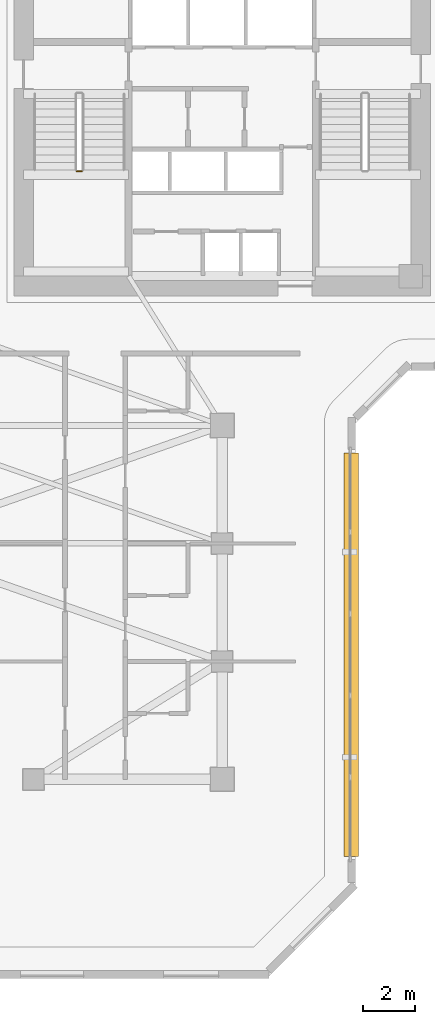
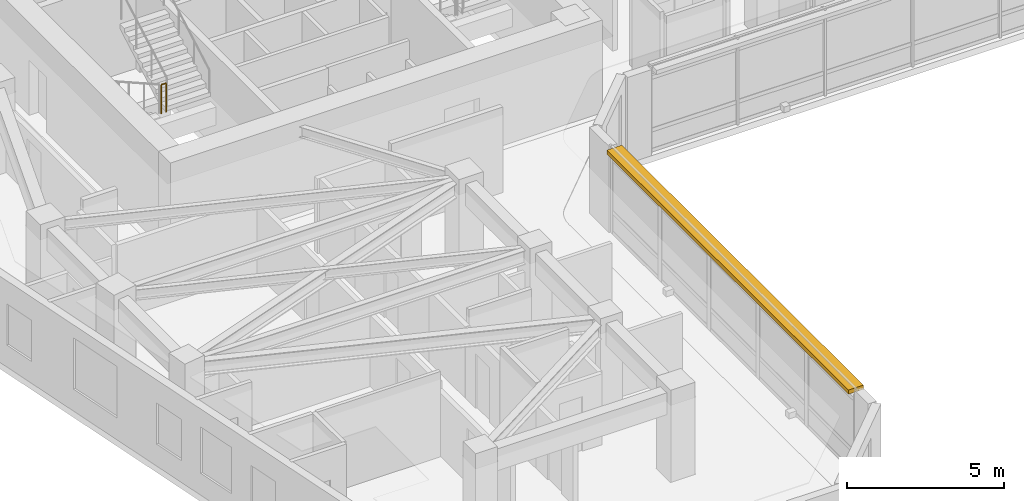
# One storey, part 10 of 14: 1 railing, 1 shading device.
"""IFC4 building model written with IfcOpenShell, lengths in metres."""

import ifcopenshell
import ifcopenshell.guid

model = None  # the IFC model being written
_history = None  # IfcOwnerHistory: only IFC2X3 demands one
_inside = {}  # id of a spatial element -> (the spatial element, [elements in it])
_under = {}  # id of a project, library or spatial element -> (it, [spatial elements below it])
_declared = {}  # id of a project -> (the project, [libraries it declares])
_typed = {}  # id of a type object -> (the type object, [elements of that type])
_made_of = {}  # id of a material, layer set ... -> (it, [elements and type objects made of it])


def new_model(schema):
    """Start an empty IFC model of exactly this schema.

    Asked for "IFC4X3", IfcOpenShell would pick the latest addendum, in which some entities
    have other attributes; the version numbers below select the first issue.
    IFC2X3 requires an IfcOwnerHistory on every rooted entity: one is made here for all.
    """
    global model, _history
    if schema == "IFC4X3":
        model = ifcopenshell.file(schema_version=(4, 3, 0, 0))
    else:
        model = ifcopenshell.file(schema=schema)
    _inside.clear()
    _under.clear()
    _declared.clear()
    _typed.clear()
    _made_of.clear()
    _history = None
    if model.schema == "IFC2X3":
        org = make("IfcOrganization", Name="unknown")
        user = make(
            "IfcPersonAndOrganization",
            ThePerson=make("IfcPerson", FamilyName="unknown"),
            TheOrganization=org,
        )
        app = make(
            "IfcApplication",
            ApplicationDeveloper=org,
            Version="unknown",
            ApplicationFullName="unknown",
            ApplicationIdentifier="unknown",
        )
        _history = make(
            "IfcOwnerHistory",
            OwningUser=user,
            OwningApplication=app,
            ChangeAction="ADDED",
            CreationDate=0,
        )
    return model


def make(cls, **values):
    """One entity of the class cls with the attributes given. An attribute that is None is left unset."""
    return model.create_entity(
        cls, **{name: value for name, value in values.items() if value is not None}
    )


def rooted(cls, **values):
    """An entity with a GlobalId (a new one), such as an element, a storey or a relation."""
    return make(cls, GlobalId=ifcopenshell.guid.new(), OwnerHistory=_history, **values)


def si_unit(unit_type, name, prefix=None):
    """IfcSIUnit, for example si_unit("LENGTHUNIT", "METRE", prefix="MILLI")."""
    return make("IfcSIUnit", UnitType=unit_type, Prefix=prefix, Name=name)


def assignment(units):
    """IfcUnitAssignment: the units of a project."""
    return None if units is None else make("IfcUnitAssignment", Units=units)


def point(xyz):
    """IfcCartesianPoint."""
    return None if xyz is None else make("IfcCartesianPoint", Coordinates=xyz)


def direction(xyz):
    """IfcDirection."""
    return None if xyz is None else make("IfcDirection", DirectionRatios=xyz)


def frame(location, z_axis=None, x_axis=None):
    """IfcAxis2Placement3D, a coordinate frame: its origin and axes. An axis left out is left unset."""
    return make(
        "IfcAxis2Placement3D",
        Location=point(location),
        Axis=direction(z_axis),
        RefDirection=direction(x_axis),
    )


def frame_2d(location, x_axis=None):
    """IfcAxis2Placement2D, a coordinate frame in the plane: its origin and x axis."""
    return make(
        "IfcAxis2Placement2D", Location=point(location), RefDirection=direction(x_axis)
    )


def origin():
    """The frame at (0, 0, 0) with its axes left unset."""
    return frame((0.0, 0.0, 0.0))


def origin_2d():
    """The frame at (0, 0) in the plane with its x axis left unset."""
    return frame_2d((0.0, 0.0))


def place(relative_to, where):
    """IfcLocalPlacement: puts the frame where relative to a parent placement (None: the world)."""
    return make(
        "IfcLocalPlacement", PlacementRelTo=relative_to, RelativePlacement=where
    )


def context(
    kind, dimensions, precision=None, world=None, true_north=None, identifier=None
):
    """IfcGeometricRepresentationContext, for example the 3D "Model" context."""
    return make(
        "IfcGeometricRepresentationContext",
        ContextIdentifier=identifier,
        ContextType=kind,
        CoordinateSpaceDimension=dimensions,
        Precision=precision,
        WorldCoordinateSystem=world,
        TrueNorth=true_north,
    )


def subcontext(parent, identifier, kind, view, scale=None):
    """IfcGeometricRepresentationSubContext, for example "Body" below "Model"."""
    return make(
        "IfcGeometricRepresentationSubContext",
        ContextIdentifier=identifier,
        ContextType=kind,
        ParentContext=parent,
        TargetScale=scale,
        TargetView=view,
    )


def project(units=None, contexts=None):
    """IfcProject with its units and contexts."""
    return rooted(
        "IfcProject",
        Name="project",
        RepresentationContexts=contexts,
        UnitsInContext=assignment(units),
    )


def spatial(cls, under=None, at=None, **own):
    """A site, building, storey or space (cls), placed at a placement, below another one or the project."""
    s = rooted(cls, ObjectPlacement=at, **own)
    if under is not None:
        _under.setdefault(under.id(), (under, []))[1].append(s)
    return s


def profile(cls, at=None, kind="AREA", **sizes):
    """A parametric profile (cls). Its sizes go by their IFC names, for example OverallWidth=200.0."""
    return make(cls, ProfileType=kind, Position=at, **sizes)


def rectangle(**sizes):
    """IfcRectangleProfileDef."""
    return profile("IfcRectangleProfileDef", **sizes)


def circle(**sizes):
    """IfcCircleProfileDef."""
    return profile("IfcCircleProfileDef", **sizes)


def extrude(swept, where, along, depth):
    """IfcExtrudedAreaSolid: the profile swept, set in the frame where, extruded along a direction by depth."""
    return make(
        "IfcExtrudedAreaSolid",
        SweptArea=swept,
        Position=where,
        ExtrudedDirection=direction(along),
        Depth=depth,
    )


def shape(context_of_items, identifier, shape_type, items):
    """IfcShapeRepresentation: the items that make up one representation, for example the "Body"."""
    return make(
        "IfcShapeRepresentation",
        ContextOfItems=context_of_items,
        RepresentationIdentifier=identifier,
        RepresentationType=shape_type,
        Items=items,
    )


def material(Name=None, Category=None):
    """IfcMaterial."""
    return make("IfcMaterial", Name=Name, Category=Category)


def made_of(thing, what):
    """Note that an element or type object is made of a material, layer set ...; save() writes the relation."""
    if what is not None:
        _made_of.setdefault(what.id(), (what, []))[1].append(thing)
    return thing


def type_object(cls, material=None, **own):
    """A type object (cls), such as IfcWallType, which elements share."""
    return made_of(rooted(cls, **own), material)


def element(
    cls,
    number,
    at=None,
    inside=None,
    cuts=None,
    type_object=None,
    material=None,
    context=None,
    identifier="Body",
    shape_type=None,
    held_by="IfcProductDefinitionShape",
    body=None,
    shapes=None,
    **own,
):
    """One element of the class cls, such as IfcWall. Its Tag is "e" and its number.

    at: its placement. inside: the storey or other place that contains it. cuts: it is an
    opening in that element (IfcRelVoidsElement). A single representation is given by context,
    identifier, shape_type and body (its items); several are given by shapes. held_by: the class
    of the entity that holds the representations. save() writes the other relations.
    """
    e = rooted(cls, Tag="e%d" % number, ObjectPlacement=at, **own)
    if body is not None:
        shapes = [shape(context, identifier, shape_type, body)]
    if shapes is not None:
        e.Representation = make(held_by, Representations=shapes)
    if inside is not None:
        _inside.setdefault(inside.id(), (inside, []))[1].append(e)
    if cuts is not None:
        rooted(
            "IfcRelVoidsElement", RelatingBuildingElement=cuts, RelatedOpeningElement=e
        )
    if type_object is not None:
        _typed.setdefault(type_object.id(), (type_object, []))[1].append(e)
    return made_of(e, material)


def aggregate(whole, parts):
    """IfcRelAggregates: a whole, such as a stair, and the parts it consists of."""
    return rooted("IfcRelAggregates", RelatingObject=whole, RelatedObjects=parts)


def save(model, path):
    """Write the relations noted so far, then the file.

    IfcRelAggregates (storeys below a building ...), IfcRelContainedInSpatialStructure (elements
    in a storey), IfcRelDefinesByType, IfcRelAssociatesMaterial and IfcRelDeclares: one each for
    every whole, place, type object, material and project.
    """
    for whole, parts in _under.values():
        aggregate(whole, parts)
    for where, things in _inside.values():
        rooted(
            "IfcRelContainedInSpatialStructure",
            RelatedElements=things,
            RelatingStructure=where,
        )
    for kind, things in _typed.values():
        rooted("IfcRelDefinesByType", RelatedObjects=things, RelatingType=kind)
    for what, things in _made_of.values():
        rooted("IfcRelAssociatesMaterial", RelatedObjects=things, RelatingMaterial=what)
    for by, libraries in _declared.values():
        rooted("IfcRelDeclares", RelatingContext=by, RelatedDefinitions=libraries)
    model.write(path)


model = new_model("IFC4")

# Units and contexts
model_context = context("Model", 3, precision=1e-05, world=origin(), true_north=direction((0.0, 1.0)))
body_context = subcontext(model_context, "Body", "Model", "MODEL_VIEW")
ifc_project = project(units=[si_unit("LENGTHUNIT", "METRE"), si_unit("AREAUNIT", "SQUARE_METRE"), si_unit("VOLUMEUNIT", "CUBIC_METRE"), si_unit("PLANEANGLEUNIT", "RADIAN"), si_unit("MASSUNIT", "GRAM", prefix="KILO")], contexts=[model_context])

# Site, building, storey
site_placement = place(None, origin())
site = spatial("IfcSite", under=ifc_project, at=site_placement, CompositionType="ELEMENT")
building_placement = place(site_placement, origin())
building = spatial("IfcBuilding", under=site, at=building_placement, Name="Calvemar Wedge Station Tower", CompositionType="ELEMENT")
storey_placement = place(building_placement, frame((0.0, 0.0, 125.0)))
storey = spatial("IfcBuildingStorey", under=building, at=storey_placement, Name="L30", CompositionType="ELEMENT", Elevation=125.0)

# Railing
ifc_material_1 = material(Name="Painted steel guardrail ASTM A500 Grade C", Category="steel")
railing_type = type_object("IfcRailingType", Name="RL-STAIR-GUARD-1150", PredefinedType="GUARDRAIL", material=ifc_material_1)
railing_placement = place(storey_placement, frame((18.260009765625, 38.199951171875, 1.800048828125)))
element("IfcRailing", 1, at=railing_placement, inside=storey, type_object=railing_type, Name="L30 ST-C1 stair guard 2", PredefinedType="GUARDRAIL", context=body_context, shape_type="SweptSolid", body=[
    extrude(circle(Radius=0.02392578125, at=origin_2d()), frame((0.0, 0.0, 1.1259765625), z_axis=(1.0, 0.0, 0.0), x_axis=(0.0, 1.0, 0.0)), (0.0, 0.0, 1.0), 0.179931640625),
    extrude(circle(Radius=0.02099609375, at=origin_2d()), origin(), (0.0, 0.0, 1.0), 1.101806640625),
    extrude(circle(Radius=0.02099609375, at=origin_2d()), frame((0.179931640625, 0.0, 0.0)), (0.0, 0.0, 1.0), 1.101806640625),
])

# Shading device
ifc_material_2 = material(Name="Precast concrete C45", Category="concrete")
shading_device_type = type_object("IfcShadingDeviceType", Name="SHD-EYEBROW-1", PredefinedType="SHUTTER", material=ifc_material_2)
shading_device_placement = place(storey_placement, frame((28.72607421875, 12.06201171875, 3.169921875), z_axis=(0.0, 0.0, 1.0), x_axis=(0.0, 1.0, 0.0)))
element("IfcShadingDevice", 2, at=shading_device_placement, inside=storey, type_object=shading_device_type, Name="Storey L30 Bronze GFRC Solar Eyebrow 4", PredefinedType="SHUTTER", context=body_context, shape_type="SweptSolid", body=[
    extrude(rectangle(XDim=15.39208984375, YDim=0.550048828125, at=frame_2d((7.696044921875, 0.0))), origin(), (0.0, 0.0, 1.0), 0.16015625),
])

save(model, "model.ifc")
